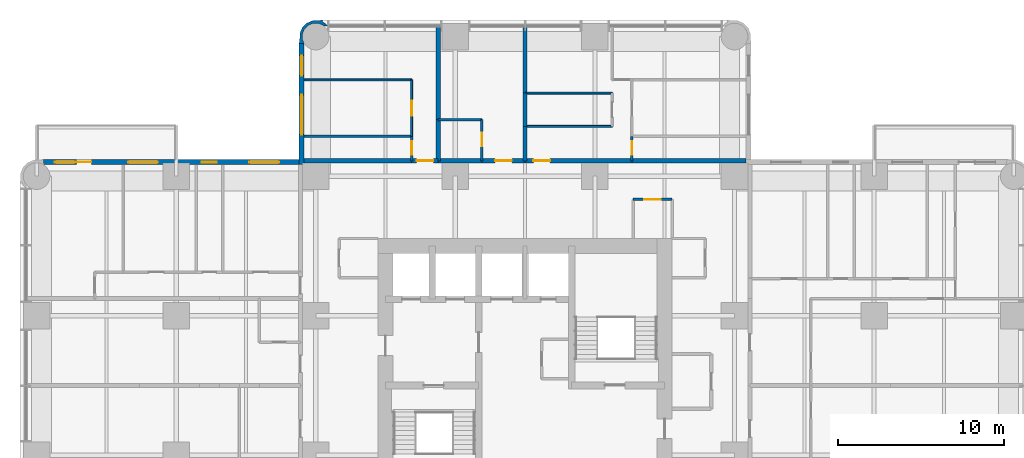
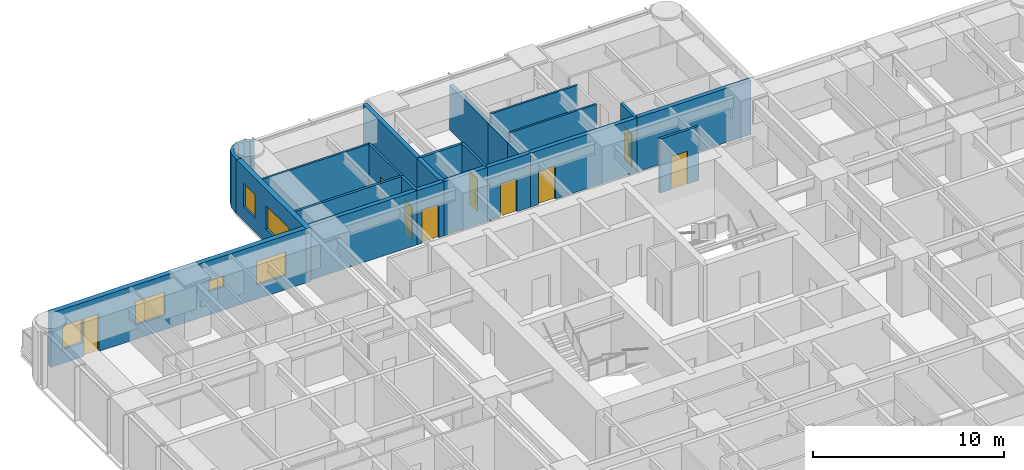
# One storey, part 11 of 14: 24 walls, 9 doors, 6 windows, 15 openings.
"""IFC4 building model written with IfcOpenShell, lengths in metres."""

from ifc_helpers import new_model, si_unit, direction, frame, frame_2d, origin, place, context, subcontext, project, spatial, polyline, rectangle, outline, extrude, material, layer, layer_set, type_object, element, fill, save


model = new_model("IFC4")

# Units and contexts
model_context = context("Model", 3, precision=1e-05, world=origin(), true_north=direction((0.0, 1.0)))
body_context = subcontext(model_context, "Body", "Model", "MODEL_VIEW")
ifc_project = project(units=[si_unit("LENGTHUNIT", "METRE"), si_unit("AREAUNIT", "SQUARE_METRE"), si_unit("VOLUMEUNIT", "CUBIC_METRE"), si_unit("PLANEANGLEUNIT", "RADIAN"), si_unit("MASSUNIT", "GRAM", prefix="KILO")], contexts=[model_context])

# Site, building, storey
site_placement = place(None, origin())
site = spatial("IfcSite", under=ifc_project, at=site_placement, CompositionType="ELEMENT")
building_placement = place(site_placement, origin())
building = spatial("IfcBuilding", under=site, at=building_placement, Name="Torre Alcanfor", CompositionType="ELEMENT")
storey_placement = place(building_placement, frame((0.0, 0.0, 126.89990234375)))
storey = spatial("IfcBuildingStorey", under=building, at=storey_placement, Name="L32", CompositionType="ELEMENT", Elevation=126.89990234375)

# Wall, opening, door
ifc_material_1 = material(Name="Concrete block masonry, hollow blocks NMX-C-404 9 MPa", Category="masonry")
ifc_layer_1 = layer(ifc_material_1, 0.25)
ifc_layer_set_1 = layer_set([ifc_layer_1], Name="Apartment entrance wall 250 EI 60")
wall_type_1 = type_object("IfcWallType", Name="Apartment entrance wall 250 EI 60", PredefinedType="PARTITIONING", material=ifc_layer_set_1)
wall_1_placement = place(storey_placement, frame((26.800048828125, 42.925048828125, 0.0), z_axis=(0.0, 0.0, 1.0), x_axis=(1.0, 0.0, 0.0)))
wall_1 = element("IfcWall", 1, at=wall_1_placement, inside=storey, type_object=wall_type_1, Name="Partition L32-CORR / L32-N1A-STUDIO", PredefinedType="PARTITIONING", context=body_context, shape_type="SweptSolid", body=[
    extrude(rectangle(XDim=2.599853515625, YDim=0.25, at=frame_2d((1.2998046875, 0.0))), origin(), (0.0, 0.0, 1.0), 3.4501953125),
])
opening_1_placement = place(wall_1_placement, frame((0.800048828125, 0.0, 0.0)))
opening_1 = element("IfcOpeningElement", 2, at=opening_1_placement, cuts=wall_1, Name="Opening D-A1", PredefinedType="OPENING", context=body_context, shape_type="SweptSolid", body=[
    extrude(rectangle(XDim=1.0, YDim=2.10009765625, at=frame_2d((0.5, 1.050048828125))), frame((0.0, 0.135009765625, 0.0), z_axis=(0.0, -1.0, 0.0), x_axis=(1.0, 0.0, 0.0)), (0.0, 0.0, 1.0), 0.27001953125),
])
ifc_material_2 = material(Name="Galvanised steel sheet ASTM A653", Category="steel")
door_type_1 = type_object("IfcDoorType", Name="Apartment entrance door FD60 1000x2100", OperationType="SINGLE_SWING_LEFT", PredefinedType="DOOR", material=ifc_material_2)
door_1_placement = place(opening_1_placement, origin())
door_1 = element("IfcDoor", 3, at=door_1_placement, inside=storey, type_object=door_type_1, Name="Apartment entrance L32-N1A", OperationType="SINGLE_SWING_LEFT", OverallHeight=2.10009765625, OverallWidth=1.0, PredefinedType="DOOR", context=body_context, shape_type="SweptSolid", body=[
    extrude(rectangle(XDim=1.0, YDim=2.10009765625, at=frame_2d((0.5, 1.050048828125))), frame((0.0, 0.02490234375, 0.0), z_axis=(0.0, -1.0, 0.0), x_axis=(1.0, 0.0, 0.0)), (0.0, 0.0, 1.0), 0.050048828125),
])
fill(opening_1, door_1)

# Wall
wall_2_placement = place(storey_placement, frame((24.1708984375, 42.925048828125, 0.0), z_axis=(0.0, 0.0, 1.0), x_axis=(1.0, 0.0, 0.0)))
element("IfcWall", 4, at=wall_2_placement, inside=storey, type_object=wall_type_1, Name="Partition L32-CORR / L32-N1A-BATH", PredefinedType="PARTITIONING", context=body_context, shape_type="SweptSolid", body=[
    extrude(rectangle(XDim=2.629150390625, YDim=0.25, at=frame_2d((1.314453125, 0.0))), origin(), (0.0, 0.0, 1.0), 3.4501953125),
])

# Wall, opening, door
wall_3_placement = place(storey_placement, frame((22.571044921875, 42.925048828125, 0.0), z_axis=(0.0, 0.0, 1.0), x_axis=(1.0, 0.0, 0.0)))
wall_3 = element("IfcWall", 5, at=wall_3_placement, inside=storey, type_object=wall_type_1, Name="Partition L32-CORR / L32-N1B-LIVING", PredefinedType="PARTITIONING", context=body_context, shape_type="SweptSolid", body=[
    extrude(rectangle(XDim=1.599853515625, YDim=0.25, at=frame_2d((0.7998046875, 0.0))), origin(), (0.0, 0.0, 1.0), 3.4501953125),
])
opening_2_placement = place(wall_3_placement, frame((0.300048828125, 0.0, 0.0)))
opening_2 = element("IfcOpeningElement", 6, at=opening_2_placement, cuts=wall_3, Name="Opening D-A1", PredefinedType="OPENING", context=body_context, shape_type="SweptSolid", body=[
    extrude(rectangle(XDim=1.0, YDim=2.10009765625, at=frame_2d((0.5, 1.050048828125))), frame((0.0, 0.135009765625, 0.0), z_axis=(0.0, -1.0, 0.0), x_axis=(1.0, 0.0, 0.0)), (0.0, 0.0, 1.0), 0.27001953125),
])
door_2_placement = place(opening_2_placement, origin())
door_2 = element("IfcDoor", 7, at=door_2_placement, inside=storey, type_object=door_type_1, Name="Apartment entrance L32-N1B", OperationType="SINGLE_SWING_LEFT", OverallHeight=2.10009765625, OverallWidth=1.0, PredefinedType="DOOR", context=body_context, shape_type="SweptSolid", body=[
    extrude(rectangle(XDim=1.0, YDim=2.10009765625, at=frame_2d((0.5, 1.050048828125))), frame((0.0, 0.02490234375, 0.0), z_axis=(0.0, -1.0, 0.0), x_axis=(1.0, 0.0, 0.0)), (0.0, 0.0, 1.0), 0.050048828125),
])
fill(opening_2, door_2)

# Wall
wall_4_placement = place(storey_placement, frame((16.10009765625, 42.925048828125, 0.0), z_axis=(0.0, 0.0, 1.0), x_axis=(1.0, 0.0, 0.0)))
element("IfcWall", 8, at=wall_4_placement, inside=storey, type_object=wall_type_1, Name="Partition L32-CORR / L32-N1B-BATH", PredefinedType="PARTITIONING", context=body_context, shape_type="SweptSolid", body=[
    extrude(rectangle(XDim=6.470947265625, YDim=0.25, at=frame_2d((3.2353515625, 0.0))), origin(), (0.0, 0.0, 1.0), 3.4501953125),
])

# Wall, opening, door
wall_5_placement = place(storey_placement, frame((29.39990234375, 42.925048828125, 0.0), z_axis=(0.0, 0.0, 1.0), x_axis=(1.0, 0.0, 0.0)))
wall_5 = element("IfcWall", 9, at=wall_5_placement, inside=storey, type_object=wall_type_1, Name="Partition L32-CORR / L32-N2-LIVING", PredefinedType="PARTITIONING", context=body_context, shape_type="SweptSolid", body=[
    extrude(rectangle(XDim=6.42919921875, YDim=0.25, at=frame_2d((3.214599609375, 0.0))), origin(), (0.0, 0.0, 1.0), 3.4501953125),
])
opening_3_placement = place(wall_5_placement, frame((0.5, 0.0, 0.0)))
opening_3 = element("IfcOpeningElement", 10, at=opening_3_placement, cuts=wall_5, Name="Opening D-A1", PredefinedType="OPENING", context=body_context, shape_type="SweptSolid", body=[
    extrude(rectangle(XDim=1.0, YDim=2.10009765625, at=frame_2d((0.5, 1.050048828125))), frame((0.0, 0.135009765625, 0.0), z_axis=(0.0, -1.0, 0.0), x_axis=(1.0, 0.0, 0.0)), (0.0, 0.0, 1.0), 0.27001953125),
])
door_3_placement = place(opening_3_placement, origin())
door_3 = element("IfcDoor", 11, at=door_3_placement, inside=storey, type_object=door_type_1, Name="Apartment entrance L32-N2", OperationType="SINGLE_SWING_LEFT", OverallHeight=2.10009765625, OverallWidth=1.0, PredefinedType="DOOR", context=body_context, shape_type="SweptSolid", body=[
    extrude(rectangle(XDim=1.0, YDim=2.10009765625, at=frame_2d((0.5, 1.050048828125))), frame((0.0, 0.02490234375, 0.0), z_axis=(0.0, -1.0, 0.0), x_axis=(1.0, 0.0, 0.0)), (0.0, 0.0, 1.0), 0.050048828125),
])
fill(opening_3, door_3)

# Wall
wall_6_placement = place(storey_placement, frame((35.8291015625, 42.925048828125, 0.0), z_axis=(0.0, 0.0, 1.0), x_axis=(1.0, 0.0, 0.0)))
element("IfcWall", 12, at=wall_6_placement, inside=storey, type_object=wall_type_1, Name="Partition L32-CORR / L32-N2-BATH", PredefinedType="PARTITIONING", context=body_context, shape_type="SweptSolid", body=[
    extrude(rectangle(XDim=6.870849609375, YDim=0.25, at=frame_2d((3.435546875, 0.0))), origin(), (0.0, 0.0, 1.0), 3.4501953125),
])

# Wall, opening, door
ifc_material_3 = material(Name="Gypsum board on steel studs", Category="steel")
ifc_layer_2 = layer(ifc_material_3, 0.1201171875)
ifc_layer_set_2 = layer_set([ifc_layer_2], Name="Apartment partition 120")
wall_type_2 = type_object("IfcWallType", Name="Apartment partition 120", PredefinedType="PARTITIONING", material=ifc_layer_set_2)
wall_7_placement = place(storey_placement, frame((22.571044921875, 44.39990234375, 0.0), z_axis=(0.0, 0.0, 1.0), x_axis=(0.0, 1.0, 0.0)))
wall_7 = element("IfcWall", 13, at=wall_7_placement, inside=storey, type_object=wall_type_2, Name="Partition L32-N1B-LIVING / L32-N1B-MASTER", PredefinedType="PARTITIONING", context=body_context, shape_type="SweptSolid", body=[
    extrude(rectangle(XDim=3.400146484375, YDim=0.1201171875, at=frame_2d((1.7001953125, 0.0))), origin(), (0.0, 0.0, 1.0), 3.4501953125),
])
opening_4_placement = place(wall_7_placement, frame((1.25, 0.0, 0.0)))
opening_4 = element("IfcOpeningElement", 14, at=opening_4_placement, cuts=wall_7, Name="Opening D-R1", PredefinedType="OPENING", context=body_context, shape_type="SweptSolid", body=[
    extrude(rectangle(XDim=0.89990234375, YDim=2.10009765625, at=frame_2d((0.449951171875, 1.050048828125))), frame((0.0, 0.070068359375, 0.0), z_axis=(0.0, -1.0, 0.0), x_axis=(1.0, 0.0, 0.0)), (0.0, 0.0, 1.0), 0.14013671875),
])
ifc_material_4 = material(Name="Timber", Category="wood")
door_type_2 = type_object("IfcDoorType", Name="Internal door 900x2100", OperationType="SINGLE_SWING_LEFT", PredefinedType="DOOR", material=ifc_material_4)
door_4_placement = place(opening_4_placement, origin())
door_4 = element("IfcDoor", 15, at=door_4_placement, inside=storey, type_object=door_type_2, Name="Door L32-N1B master", OperationType="SINGLE_SWING_LEFT", OverallHeight=2.10009765625, OverallWidth=0.89990234375, PredefinedType="DOOR", context=body_context, shape_type="SweptSolid", body=[
    extrude(rectangle(XDim=0.89990234375, YDim=2.10009765625, at=frame_2d((0.449951171875, 1.050048828125))), frame((0.0, 0.02490234375, 0.0), z_axis=(0.0, -1.0, 0.0), x_axis=(1.0, 0.0, 0.0)), (0.0, 0.0, 1.0), 0.050048828125),
])
fill(opening_4, door_4)

# Walls
wall_8_placement = place(storey_placement, frame((22.571044921875, 47.800048828125, 0.0), z_axis=(0.0, 0.0, 1.0), x_axis=(-1.0, 0.0, 0.0)))
element("IfcWall", 16, at=wall_8_placement, inside=storey, type_object=wall_type_2, Name="Partition L32-N1B-LIVING / L32-N1B-MASTER", PredefinedType="PARTITIONING", context=body_context, shape_type="SweptSolid", body=[
    extrude(rectangle(XDim=6.470947265625, YDim=0.1201171875, at=frame_2d((3.2353515625, 0.0))), origin(), (0.0, 0.0, 1.0), 3.4501953125),
])
for number, where, z_axis, x_axis, name in (
    (17, (29.39990234375, 47.0, 0.0), (0.0, 0.0, 1.0), (1.0, 0.0, 0.0), "Partition L32-N2-KITCHEN / L32-N2-LIVING"),
    (18, (34.62890625, 45.0, 0.0), (0.0, 0.0, 1.0), (-1.0, 0.0, 0.0), "Partition L32-N2-KITCHEN / L32-N2-LIVING"),
):
    element("IfcWall", number, at=place(storey_placement, frame(where, z_axis=z_axis, x_axis=x_axis)), inside=storey, type_object=wall_type_2, Name=name, PredefinedType="PARTITIONING", context=body_context, shape_type="SweptSolid", body=[
        extrude(rectangle(XDim=5.22900390625, YDim=0.1201171875, at=frame_2d((2.614501953125, 0.0))), origin(), (0.0, 0.0, 1.0), 3.4501953125),
    ])

# Wall, openings, door, windows
ifc_material_5 = material(Name="Limestone cladding", Category="masonry")
ifc_layer_3 = layer(ifc_material_5, 0.0400390625, Name="Facing")
ifc_material_6 = material(Name="Ventilated air cavity")
ifc_layer_4 = layer(ifc_material_6, 0.02001953125, ventilated=True, Name="Ventilated joint")
ifc_material_7 = material(Name="Mineral wool insulation", Category="insulation")
ifc_layer_5 = layer(ifc_material_7, 0.10009765625, Name="Insulation")
ifc_material_8 = material(Name="Concrete f'c 35 MPa", Category="concrete")
ifc_layer_6 = layer(ifc_material_8, 0.139892578125, Name="Backing")
ifc_layer_set_3 = layer_set([ifc_layer_3, ifc_layer_4, ifc_layer_5, ifc_layer_6], Name="External wall stone-clad 300")
wall_type_3 = type_object("IfcWallType", Name="External wall stone-clad 300", PredefinedType="SOLIDWALL", material=ifc_layer_set_3)
wall_9_placement = place(storey_placement, frame((15.800048828125, 42.85009765625, 0.0), z_axis=(0.0, 0.0, 1.0), x_axis=(-1.0, 0.0, 0.0)))
wall_9 = element("IfcWall", 19, at=wall_9_placement, inside=storey, type_object=wall_type_3, Name="External wall L32 1", PredefinedType="SOLIDWALL", context=body_context, shape_type="SweptSolid", body=[
    extrude(rectangle(XDim=15.400146484375, YDim=0.300048828125, at=frame_2d((7.7001953125, 0.0))), origin(), (0.0, 0.0, 1.0), 3.4501953125),
])
opening_5_placement = place(wall_9_placement, frame((1.199951171875, 0.0, 0.89990234375)))
opening_5 = element("IfcOpeningElement", 20, at=opening_5_placement, cuts=wall_9, Name="Opening W2", PredefinedType="OPENING", context=body_context, shape_type="SweptSolid", body=[
    extrude(rectangle(XDim=1.800048828125, YDim=1.5, at=frame_2d((0.89990234375, 0.75))), frame((0.0, 0.159912109375, 0.0), z_axis=(0.0, -1.0, 0.0), x_axis=(1.0, 0.0, 0.0)), (0.0, 0.0, 1.0), 0.320068359375),
])
opening_6_placement = place(wall_9_placement, frame((4.949951171875, 0.0, 1.5)))
opening_6 = element("IfcOpeningElement", 21, at=opening_6_placement, cuts=wall_9, Name="Opening W3", PredefinedType="OPENING", context=body_context, shape_type="SweptSolid", body=[
    extrude(rectangle(XDim=0.89990234375, YDim=0.699951171875, at=frame_2d((0.449951171875, 0.35009765625))), frame((0.0, 0.159912109375, 0.0), z_axis=(0.0, -1.0, 0.0), x_axis=(1.0, 0.0, 0.0)), (0.0, 0.0, 1.0), 0.320068359375),
])
opening_7_placement = place(wall_9_placement, frame((8.5, 0.0, 0.89990234375)))
opening_7 = element("IfcOpeningElement", 22, at=opening_7_placement, cuts=wall_9, Name="Opening W2", PredefinedType="OPENING", context=body_context, shape_type="SweptSolid", body=[
    extrude(rectangle(XDim=1.800048828125, YDim=1.5, at=frame_2d((0.89990234375, 0.75))), frame((0.0, 0.159912109375, 0.0), z_axis=(0.0, -1.0, 0.0), x_axis=(1.0, 0.0, 0.0)), (0.0, 0.0, 1.0), 0.320068359375),
])
opening_8_placement = place(wall_9_placement, frame((12.5, 0.0, 0.0)))
opening_8 = element("IfcOpeningElement", 23, at=opening_8_placement, cuts=wall_9, Name="Opening D-B1", PredefinedType="OPENING", context=body_context, shape_type="SweptSolid", body=[
    extrude(rectangle(XDim=0.89990234375, YDim=2.39990234375, at=frame_2d((0.449951171875, 1.199951171875))), frame((0.0, 0.159912109375, 0.0), z_axis=(0.0, -1.0, 0.0), x_axis=(1.0, 0.0, 0.0)), (0.0, 0.0, 1.0), 0.320068359375),
])
opening_9_placement = place(wall_9_placement, frame((13.5, 0.0, 0.89990234375)))
opening_9 = element("IfcOpeningElement", 24, at=opening_9_placement, cuts=wall_9, Name="Opening W4", PredefinedType="OPENING", context=body_context, shape_type="SweptSolid", body=[
    extrude(rectangle(XDim=1.199951171875, YDim=1.5, at=frame_2d((0.60009765625, 0.75))), frame((0.0, 0.159912109375, 0.0), z_axis=(0.0, -1.0, 0.0), x_axis=(1.0, 0.0, 0.0)), (0.0, 0.0, 1.0), 0.320068359375),
])
ifc_material_9 = material(Name="Aluminium and glass", Category="aluminium")
door_type_3 = type_object("IfcDoorType", Name="Balcony door glazed 900x2400", OperationType="SINGLE_SWING_LEFT", PredefinedType="DOOR", material=ifc_material_9)
door_5_placement = place(opening_8_placement, origin())
door_5 = element("IfcDoor", 25, at=door_5_placement, inside=storey, type_object=door_type_3, Name="Balcony door L32-W2", OperationType="SINGLE_SWING_LEFT", OverallHeight=2.39990234375, OverallWidth=0.89990234375, PredefinedType="DOOR", context=body_context, shape_type="SweptSolid", body=[
    extrude(rectangle(XDim=0.89990234375, YDim=2.39990234375, at=frame_2d((0.449951171875, 1.199951171875))), frame((0.0, 0.02490234375, 0.0), z_axis=(0.0, -1.0, 0.0), x_axis=(1.0, 0.0, 0.0)), (0.0, 0.0, 1.0), 0.050048828125),
])
fill(opening_8, door_5)
ifc_material_10 = material(Name="Aluminium frame with clear double glazing", Category="aluminium")
window_type_1 = type_object("IfcWindowType", Name="Window bathroom 900x700", PartitioningType="SINGLE_PANEL", PredefinedType="WINDOW", material=ifc_material_10)
window_1_placement = place(opening_6_placement, origin())
window_1 = element("IfcWindow", 26, at=window_1_placement, inside=storey, type_object=window_type_1, Name="Window W3 L32-W2", OverallHeight=0.699951171875, OverallWidth=0.89990234375, PartitioningType="SINGLE_PANEL", PredefinedType="WINDOW", context=body_context, shape_type="SweptSolid", body=[
    extrude(rectangle(XDim=0.89990234375, YDim=0.699951171875, at=frame_2d((0.449951171875, 0.35009765625))), frame((0.0, 0.030029296875, 0.0), z_axis=(0.0, -1.0, 0.0), x_axis=(1.0, 0.0, 0.0)), (0.0, 0.0, 1.0), 0.06005859375),
])
fill(opening_6, window_1)
ifc_material_11 = material(Name="Aluminium frame with clear double glazing", Category="aluminium")
window_type_2 = type_object("IfcWindowType", Name="Window bedroom 1200x1500", PartitioningType="SINGLE_PANEL", PredefinedType="WINDOW", material=ifc_material_11)
window_2_placement = place(opening_9_placement, origin())
window_2 = element("IfcWindow", 27, at=window_2_placement, inside=storey, type_object=window_type_2, Name="Window W4 L32-W2", OverallHeight=1.5, OverallWidth=1.199951171875, PartitioningType="SINGLE_PANEL", PredefinedType="WINDOW", context=body_context, shape_type="SweptSolid", body=[
    extrude(rectangle(XDim=1.199951171875, YDim=1.5, at=frame_2d((0.60009765625, 0.75))), frame((0.0, 0.030029296875, 0.0), z_axis=(0.0, -1.0, 0.0), x_axis=(1.0, 0.0, 0.0)), (0.0, 0.0, 1.0), 0.06005859375),
])
fill(opening_9, window_2)
ifc_material_12 = material(Name="Aluminium frame with clear double glazing", Category="aluminium")
window_type_3 = type_object("IfcWindowType", Name="Window bedroom 1800x1500", PartitioningType="SINGLE_PANEL", PredefinedType="WINDOW", material=ifc_material_12)
window_3_placement = place(opening_5_placement, origin())
window_3 = element("IfcWindow", 28, at=window_3_placement, inside=storey, type_object=window_type_3, Name="Window W2 L32-W2", OverallHeight=1.5, OverallWidth=1.800048828125, PartitioningType="SINGLE_PANEL", PredefinedType="WINDOW", context=body_context, shape_type="SweptSolid", body=[
    extrude(rectangle(XDim=1.800048828125, YDim=1.5, at=frame_2d((0.89990234375, 0.75))), frame((0.0, 0.030029296875, 0.0), z_axis=(0.0, -1.0, 0.0), x_axis=(1.0, 0.0, 0.0)), (0.0, 0.0, 1.0), 0.06005859375),
])
fill(opening_5, window_3)
window_4_placement = place(opening_7_placement, origin())
window_4 = element("IfcWindow", 29, at=window_4_placement, inside=storey, type_object=window_type_3, Name="Window W2 L32-W2", OverallHeight=1.5, OverallWidth=1.800048828125, PartitioningType="SINGLE_PANEL", PredefinedType="WINDOW", context=body_context, shape_type="SweptSolid", body=[
    extrude(rectangle(XDim=1.800048828125, YDim=1.5, at=frame_2d((0.89990234375, 0.75))), frame((0.0, 0.030029296875, 0.0), z_axis=(0.0, -1.0, 0.0), x_axis=(1.0, 0.0, 0.0)), (0.0, 0.0, 1.0), 0.06005859375),
])
fill(opening_7, window_4)

# Wall, openings, windows
wall_10_placement = place(storey_placement, frame((15.949951171875, 50.0, 0.0), z_axis=(0.0, 0.0, 1.0), x_axis=(0.0, -1.0, 0.0)))
wall_10 = element("IfcWall", 30, at=wall_10_placement, inside=storey, type_object=wall_type_3, Name="External wall L32 12", PredefinedType="SOLIDWALL", context=body_context, shape_type="SweptSolid", body=[
    extrude(rectangle(XDim=7.300048828125, YDim=0.300048828125, at=frame_2d((3.64990234375, 0.0))), origin(), (0.0, 0.0, 1.0), 3.4501953125),
])
opening_10_placement = place(wall_10_placement, frame((3.10009765625, 0.0, 0.89990234375)))
opening_10 = element("IfcOpeningElement", 31, at=opening_10_placement, cuts=wall_10, Name="Opening W1", PredefinedType="OPENING", context=body_context, shape_type="SweptSolid", body=[
    extrude(rectangle(XDim=2.39990234375, YDim=1.5, at=frame_2d((1.199951171875, 0.75))), frame((0.0, 0.159912109375, 0.0), z_axis=(0.0, -1.0, 0.0), x_axis=(1.0, 0.0, 0.0)), (0.0, 0.0, 1.0), 0.320068359375),
])
opening_11_placement = place(wall_10_placement, frame((0.75, 0.0, 0.89990234375)))
opening_11 = element("IfcOpeningElement", 32, at=opening_11_placement, cuts=wall_10, Name="Opening W4", PredefinedType="OPENING", context=body_context, shape_type="SweptSolid", body=[
    extrude(rectangle(XDim=1.199951171875, YDim=1.5, at=frame_2d((0.60009765625, 0.75))), frame((0.0, 0.159912109375, 0.0), z_axis=(0.0, -1.0, 0.0), x_axis=(1.0, 0.0, 0.0)), (0.0, 0.0, 1.0), 0.320068359375),
])
window_5_placement = place(opening_11_placement, origin())
window_5 = element("IfcWindow", 33, at=window_5_placement, inside=storey, type_object=window_type_2, Name="Window W4 L32-N1", OverallHeight=1.5, OverallWidth=1.199951171875, PartitioningType="SINGLE_PANEL", PredefinedType="WINDOW", context=body_context, shape_type="SweptSolid", body=[
    extrude(rectangle(XDim=1.199951171875, YDim=1.5, at=frame_2d((0.60009765625, 0.75))), frame((0.0, 0.030029296875, 0.0), z_axis=(0.0, -1.0, 0.0), x_axis=(1.0, 0.0, 0.0)), (0.0, 0.0, 1.0), 0.06005859375),
])
fill(opening_11, window_5)
ifc_material_13 = material(Name="Aluminium frame with clear double glazing", Category="aluminium")
window_type_4 = type_object("IfcWindowType", Name="Window bedroom 2400x1500", PartitioningType="SINGLE_PANEL", PredefinedType="WINDOW", material=ifc_material_13)
window_6_placement = place(opening_10_placement, origin())
window_6 = element("IfcWindow", 34, at=window_6_placement, inside=storey, type_object=window_type_4, Name="Window W1 L32-N1", OverallHeight=1.5, OverallWidth=2.39990234375, PartitioningType="SINGLE_PANEL", PredefinedType="WINDOW", context=body_context, shape_type="SweptSolid", body=[
    extrude(rectangle(XDim=2.39990234375, YDim=1.5, at=frame_2d((1.199951171875, 0.75))), frame((0.0, 0.030029296875, 0.0), z_axis=(0.0, -1.0, 0.0), x_axis=(1.0, 0.0, 0.0)), (0.0, 0.0, 1.0), 0.06005859375),
])
fill(opening_10, window_6)

# Walls
ifc_material_14 = material(Name="Concrete block masonry, hollow blocks NMX-C-404 9 MPa", Category="masonry")
ifc_layer_7 = layer(ifc_material_14, 0.25)
ifc_layer_set_4 = layer_set([ifc_layer_7], Name="Party wall 250 EI 60")
wall_type_4 = type_object("IfcWallType", Name="Party wall 250 EI 60", PredefinedType="PARTITIONING", material=ifc_layer_set_4)
wall_11_placement = place(storey_placement, frame((24.1708984375, 45.39990234375, 0.0), z_axis=(0.0, 0.0, 1.0), x_axis=(0.0, 1.0, 0.0)))
element("IfcWall", 35, at=wall_11_placement, inside=storey, type_object=wall_type_4, Name="Partition L32-N1A-STUDIO / L32-N1B-LIVING", PredefinedType="PARTITIONING", context=body_context, shape_type="SweptSolid", body=[
    extrude(rectangle(XDim=5.650146484375, YDim=0.25, at=frame_2d((2.8251953125, 0.0))), origin(), (0.0, 0.0, 1.0), 3.4501953125),
])
wall_12_placement = place(storey_placement, frame((29.39990234375, 47.0, 0.0), z_axis=(0.0, 0.0, 1.0), x_axis=(0.0, -1.0, 0.0)))
element("IfcWall", 36, at=wall_12_placement, inside=storey, type_object=wall_type_4, Name="Partition L32-N1A-STUDIO / L32-N2-KITCHEN", PredefinedType="PARTITIONING", context=body_context, shape_type="SweptSolid", body=[
    extrude(rectangle(XDim=2.0, YDim=0.25, at=frame_2d((1.0, 0.0))), origin(), (0.0, 0.0, 1.0), 2.84814453125),
])
wall_13_placement = place(storey_placement, frame((29.39990234375, 45.0, 0.0), z_axis=(0.0, 0.0, 1.0), x_axis=(0.0, -1.0, 0.0)))
element("IfcWall", 37, at=wall_13_placement, inside=storey, type_object=wall_type_4, Name="Partition L32-N1A-STUDIO / L32-N2-LIVING", PredefinedType="PARTITIONING", context=body_context, shape_type="SweptSolid", body=[
    extrude(rectangle(XDim=2.074951171875, YDim=0.25, at=frame_2d((1.03759765625, 0.0))), origin(), (0.0, 0.0, 1.0), 2.84814453125),
])
wall_14_placement = place(storey_placement, frame((29.39990234375, 51.050048828125, 0.0), z_axis=(0.0, 0.0, 1.0), x_axis=(0.0, -1.0, 0.0)))
element("IfcWall", 38, at=wall_14_placement, inside=storey, type_object=wall_type_4, Name="Partition L32-N1A-STUDIO / L32-N2-LIVING", PredefinedType="PARTITIONING", context=body_context, shape_type="SweptSolid", body=[
    extrude(rectangle(XDim=4.050048828125, YDim=0.25, at=frame_2d((2.02490234375, 0.0))), origin(), (0.0, 0.0, 1.0), 2.84814453125),
])
wall_15_placement = place(storey_placement, frame((24.1708984375, 45.39990234375, 0.0), z_axis=(0.0, 0.0, 1.0), x_axis=(0.0, -1.0, 0.0)))
element("IfcWall", 39, at=wall_15_placement, inside=storey, type_object=wall_type_4, Name="Partition L32-N1A-BATH / L32-N1B-LIVING", PredefinedType="PARTITIONING", context=body_context, shape_type="SweptSolid", body=[
    extrude(rectangle(XDim=2.474853515625, YDim=0.25, at=frame_2d((1.2373046875, 0.0))), origin(), (0.0, 0.0, 1.0), 3.4501953125),
])

# Wall, opening, door
ifc_material_15 = material(Name="Concrete block masonry, hollow blocks NMX-C-404 9 MPa", Category="masonry")
ifc_layer_8 = layer(ifc_material_15, 0.14990234375)
ifc_layer_set_5 = layer_set([ifc_layer_8], Name="Residents' room partition 150")
wall_type_5 = type_object("IfcWallType", Name="Residents' room partition 150", PredefinedType="PARTITIONING", material=ifc_layer_set_5)
wall_16_placement = place(storey_placement, frame((38.25, 40.60009765625, 0.0), z_axis=(0.0, 0.0, 1.0), x_axis=(-1.0, 0.0, 0.0)))
wall_16 = element("IfcWall", 40, at=wall_16_placement, inside=storey, type_object=wall_type_5, Name="Partition L32-CORR / L32-G01", PredefinedType="PARTITIONING", context=body_context, shape_type="SweptSolid", body=[
    extrude(rectangle(XDim=2.35009765625, YDim=0.14990234375, at=frame_2d((1.175048828125, 0.0))), origin(), (0.0, 0.0, 1.0), 3.4501953125),
])
opening_12_placement = place(wall_16_placement, frame((0.675048828125, 0.0, 0.0)))
opening_12 = element("IfcOpeningElement", 41, at=opening_12_placement, cuts=wall_16, Name="Opening D-M1", PredefinedType="OPENING", context=body_context, shape_type="SweptSolid", body=[
    extrude(rectangle(XDim=1.0, YDim=2.10009765625, at=frame_2d((0.5, 1.050048828125))), frame((0.0, 0.0849609375, 0.0), z_axis=(0.0, -1.0, 0.0), x_axis=(1.0, 0.0, 0.0)), (0.0, 0.0, 1.0), 0.169921875),
])
ifc_material_16 = material(Name="Timber", Category="wood")
door_type_4 = type_object("IfcDoorType", Name="Residents' room door 1000x2100", OperationType="SINGLE_SWING_LEFT", PredefinedType="DOOR", material=ifc_material_16)
door_6_placement = place(opening_12_placement, origin())
door_6 = element("IfcDoor", 42, at=door_6_placement, inside=storey, type_object=door_type_4, Name="Door L32-G01 parcel room", OperationType="SINGLE_SWING_LEFT", OverallHeight=2.10009765625, OverallWidth=1.0, PredefinedType="DOOR", context=body_context, shape_type="SweptSolid", body=[
    extrude(rectangle(XDim=1.0, YDim=2.10009765625, at=frame_2d((0.5, 1.050048828125))), frame((0.0, 0.02490234375, 0.0), z_axis=(0.0, -1.0, 0.0), x_axis=(1.0, 0.0, 0.0)), (0.0, 0.0, 1.0), 0.050048828125),
])
fill(opening_12, door_6)

# Wall
ifc_layer_9 = layer(ifc_material_5, 0.0400390625, Name="Facing")
ifc_layer_10 = layer(ifc_material_6, 0.02001953125, ventilated=True, Name="Ventilated joint")
ifc_layer_11 = layer(ifc_material_7, 0.10009765625, Name="Insulation")
ifc_layer_12 = layer(ifc_material_8, 0.139892578125, Name="Backing")
ifc_layer_set_6 = layer_set([ifc_layer_9, ifc_layer_10, ifc_layer_11, ifc_layer_12], Name="Rounded corner pier stone-clad 300")
wall_type_6 = type_object("IfcWallType", Name="Rounded corner pier stone-clad 300", PredefinedType="SOLIDWALL", material=ifc_layer_set_6)
wall_17_placement = place(storey_placement, frame((17.448071802, 50.995317512, 0.0), z_axis=(0.0, 0.0, 1.0), x_axis=(-0.343276641956, 0.93923434088, 0.0)))
element("IfcWall", 43, at=wall_17_placement, inside=storey, type_object=wall_type_6, Name="Corner pier L32 20", PredefinedType="SOLIDWALL", context=body_context, shape_type="SweptSolid", body=[
    extrude(outline(polyline([(0.24108059829103723, 0.022959620234629247), (0.3334805428319213, 0.12357557552177408), (0.4651739844878831, 0.09415889406460926), (0.5320540980205655, 0.3930753034134802), (0.6306958479185591, 0.6629675932609465), (0.6144442310825087, 1.0445145490965344), (0.4535240125743382, 1.3908175635047577), (0.17229496211504458, 1.6490443416962495), (-0.0975973277324218, 1.7476860915942432), (-0.36910859501107685, 1.8895490248211664), (-0.5092558011112671, 1.6213097208797382), (-0.4906820751319597, 1.6145212911926206), (-0.47934485608116756, 1.6085581501360122), (-0.21131694537408713, 1.6200307736528514), (0.0879264176258649, 1.5106616286937335), (0.32264848080083985, 1.2951661291093102), (0.4569426595377669, 1.0061627997252323), (0.4702938084391308, 0.6878005781830546), (0.3609246634800129, 0.3885572151831026), (0.1454291638955897, 0.15383515200812764), (0.10816871297824923, 0.136520951282565), (0.030981753202503952, -0.0746691922599299), (0.24108059829103723, 0.022959620234629247)])), origin(), (0.0, 0.0, 1.0), 3.4501953125),
])

# Wall, opening, door
ifc_material_17 = material(Name="Cement board on steel studs", Category="steel")
ifc_layer_13 = layer(ifc_material_17, 0.14990234375)
ifc_layer_set_7 = layer_set([ifc_layer_13], Name="Wet area partition 150")
wall_type_7 = type_object("IfcWallType", Name="Wet area partition 150", PredefinedType="PARTITIONING", material=ifc_layer_set_7)
wall_18_placement = place(storey_placement, frame((26.800048828125, 42.925048828125, 0.0), z_axis=(0.0, 0.0, 1.0), x_axis=(0.0, 1.0, 0.0)))
wall_18 = element("IfcWall", 44, at=wall_18_placement, inside=storey, type_object=wall_type_7, Name="Partition L32-N1A-STUDIO / L32-N1A-BATH", PredefinedType="PARTITIONING", context=body_context, shape_type="SweptSolid", body=[
    extrude(rectangle(XDim=2.474853515625, YDim=0.14990234375, at=frame_2d((1.2373046875, 0.0))), origin(), (0.0, 0.0, 1.0), 3.4501953125),
])
opening_13_placement = place(wall_18_placement, frame((0.875, 0.0, 0.0)))
opening_13 = element("IfcOpeningElement", 45, at=opening_13_placement, cuts=wall_18, Name="Opening D-R2", PredefinedType="OPENING", context=body_context, shape_type="SweptSolid", body=[
    extrude(rectangle(XDim=0.800048828125, YDim=2.10009765625, at=frame_2d((0.39990234375, 1.050048828125))), frame((0.0, 0.0849609375, 0.0), z_axis=(0.0, -1.0, 0.0), x_axis=(1.0, 0.0, 0.0)), (0.0, 0.0, 1.0), 0.169921875),
])
ifc_material_18 = material(Name="Timber", Category="wood")
door_type_5 = type_object("IfcDoorType", Name="Bathroom door 800x2100", OperationType="SINGLE_SWING_LEFT", PredefinedType="DOOR", material=ifc_material_18)
door_7_placement = place(opening_13_placement, origin())
door_7 = element("IfcDoor", 46, at=door_7_placement, inside=storey, type_object=door_type_5, Name="Door L32-N1A bath", OperationType="SINGLE_SWING_RIGHT", OverallHeight=2.10009765625, OverallWidth=0.800048828125, PredefinedType="DOOR", context=body_context, shape_type="SweptSolid", body=[
    extrude(rectangle(XDim=0.800048828125, YDim=2.10009765625, at=frame_2d((0.39990234375, 1.050048828125))), frame((0.0, 0.02490234375, 0.0), z_axis=(0.0, -1.0, 0.0), x_axis=(1.0, 0.0, 0.0)), (0.0, 0.0, 1.0), 0.050048828125),
])
fill(opening_13, door_7)

# Wall
wall_19_placement = place(storey_placement, frame((26.800048828125, 45.39990234375, 0.0), z_axis=(0.0, 0.0, 1.0), x_axis=(-1.0, 0.0, 0.0)))
element("IfcWall", 47, at=wall_19_placement, inside=storey, type_object=wall_type_7, Name="Partition L32-N1A-STUDIO / L32-N1A-BATH", PredefinedType="PARTITIONING", context=body_context, shape_type="SweptSolid", body=[
    extrude(rectangle(XDim=2.629150390625, YDim=0.14990234375, at=frame_2d((1.314453125, 0.0))), origin(), (0.0, 0.0, 1.0), 3.4501953125),
])

# Wall, opening, door
wall_20_placement = place(storey_placement, frame((22.571044921875, 42.925048828125, 0.0), z_axis=(0.0, 0.0, 1.0), x_axis=(0.0, 1.0, 0.0)))
wall_20 = element("IfcWall", 48, at=wall_20_placement, inside=storey, type_object=wall_type_7, Name="Partition L32-N1B-LIVING / L32-N1B-BATH", PredefinedType="PARTITIONING", context=body_context, shape_type="SweptSolid", body=[
    extrude(rectangle(XDim=1.474853515625, YDim=0.14990234375, at=frame_2d((0.7373046875, 0.0))), origin(), (0.0, 0.0, 1.0), 3.4501953125),
])
opening_14_placement = place(wall_20_placement, frame((0.375, 0.0, 0.0)))
opening_14 = element("IfcOpeningElement", 49, at=opening_14_placement, cuts=wall_20, Name="Opening D-R2", PredefinedType="OPENING", context=body_context, shape_type="SweptSolid", body=[
    extrude(rectangle(XDim=0.800048828125, YDim=2.10009765625, at=frame_2d((0.39990234375, 1.050048828125))), frame((0.0, 0.0849609375, 0.0), z_axis=(0.0, -1.0, 0.0), x_axis=(1.0, 0.0, 0.0)), (0.0, 0.0, 1.0), 0.169921875),
])
door_8_placement = place(opening_14_placement, origin())
door_8 = element("IfcDoor", 50, at=door_8_placement, inside=storey, type_object=door_type_5, Name="Door L32-N1B bath", OperationType="SINGLE_SWING_RIGHT", OverallHeight=2.10009765625, OverallWidth=0.800048828125, PredefinedType="DOOR", context=body_context, shape_type="SweptSolid", body=[
    extrude(rectangle(XDim=0.800048828125, YDim=2.10009765625, at=frame_2d((0.39990234375, 1.050048828125))), frame((0.0, 0.02490234375, 0.0), z_axis=(0.0, -1.0, 0.0), x_axis=(1.0, 0.0, 0.0)), (0.0, 0.0, 1.0), 0.050048828125),
])
fill(opening_14, door_8)

# Wall
wall_21_placement = place(storey_placement, frame((22.571044921875, 44.39990234375, 0.0), z_axis=(0.0, 0.0, 1.0), x_axis=(-1.0, 0.0, 0.0)))
element("IfcWall", 51, at=wall_21_placement, inside=storey, type_object=wall_type_7, Name="Partition L32-N1B-BATH / L32-N1B-MASTER", PredefinedType="PARTITIONING", context=body_context, shape_type="SweptSolid", body=[
    extrude(rectangle(XDim=6.470947265625, YDim=0.14990234375, at=frame_2d((3.2353515625, 0.0))), origin(), (0.0, 0.0, 1.0), 3.4501953125),
])

# Wall, opening, door
wall_22_placement = place(storey_placement, frame((35.8291015625, 44.39990234375, 0.0), z_axis=(0.0, 0.0, 1.0), x_axis=(0.0, -1.0, 0.0)))
wall_22 = element("IfcWall", 52, at=wall_22_placement, inside=storey, type_object=wall_type_7, Name="Partition L32-N2-LIVING / L32-N2-BATH", PredefinedType="PARTITIONING", context=body_context, shape_type="SweptSolid", body=[
    extrude(rectangle(XDim=1.474853515625, YDim=0.14990234375, at=frame_2d((0.7373046875, 0.0))), origin(), (0.0, 0.0, 1.0), 3.4501953125),
])
opening_15_placement = place(wall_22_placement, frame((0.300048828125, 0.0, 0.0)))
opening_15 = element("IfcOpeningElement", 53, at=opening_15_placement, cuts=wall_22, Name="Opening D-R2", PredefinedType="OPENING", context=body_context, shape_type="SweptSolid", body=[
    extrude(rectangle(XDim=0.800048828125, YDim=2.10009765625, at=frame_2d((0.39990234375, 1.050048828125))), frame((0.0, 0.0849609375, 0.0), z_axis=(0.0, -1.0, 0.0), x_axis=(1.0, 0.0, 0.0)), (0.0, 0.0, 1.0), 0.169921875),
])
door_9_placement = place(opening_15_placement, origin())
door_9 = element("IfcDoor", 54, at=door_9_placement, inside=storey, type_object=door_type_5, Name="Door L32-N2 bath", OperationType="SINGLE_SWING_LEFT", OverallHeight=2.10009765625, OverallWidth=0.800048828125, PredefinedType="DOOR", context=body_context, shape_type="SweptSolid", body=[
    extrude(rectangle(XDim=0.800048828125, YDim=2.10009765625, at=frame_2d((0.39990234375, 1.050048828125))), frame((0.0, 0.02490234375, 0.0), z_axis=(0.0, -1.0, 0.0), x_axis=(1.0, 0.0, 0.0)), (0.0, 0.0, 1.0), 0.050048828125),
])
fill(opening_15, door_9)

save(model, "model.ifc")
